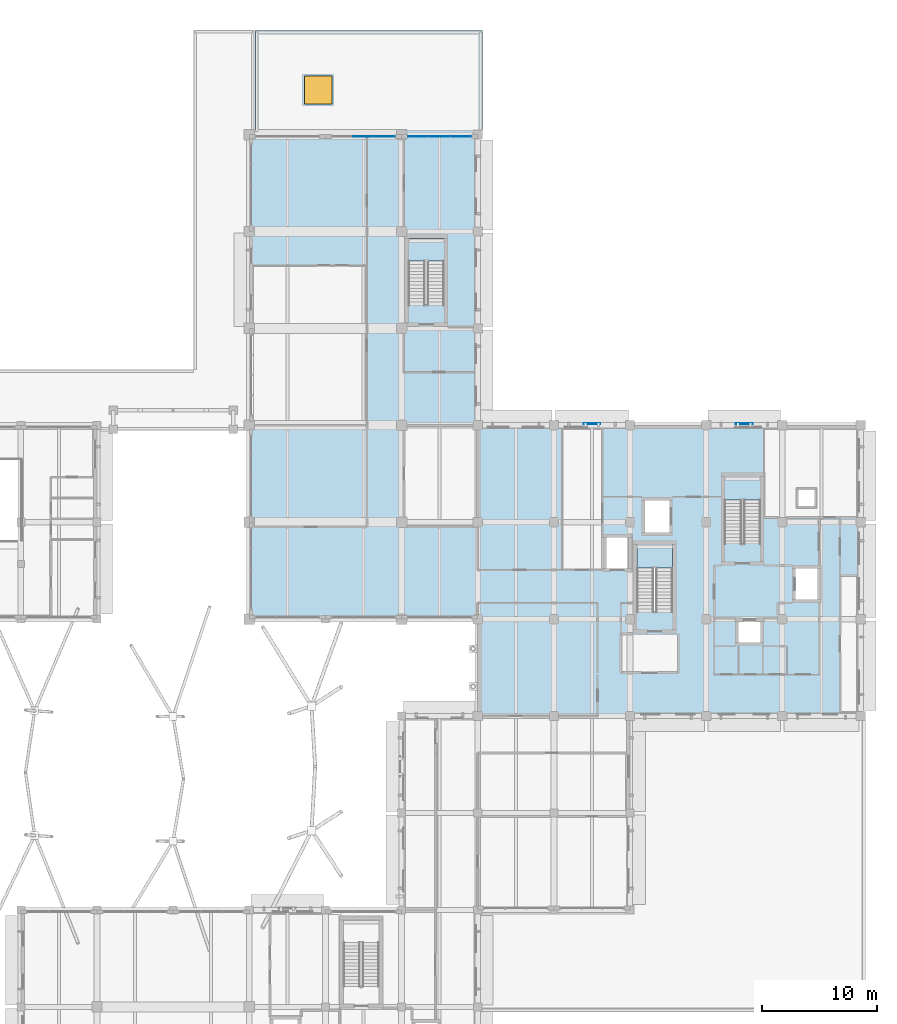
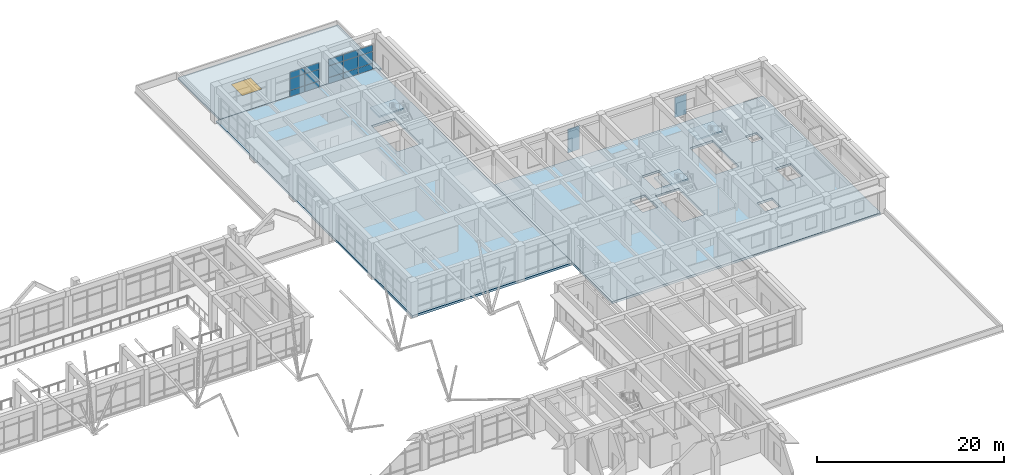
# One storey, part 40 of 75: 17 plates, 6 slabs, 1 window, 1 opening, 5 elements without a shape of their own.
"""IFC4 building model written with IfcOpenShell, lengths in metres."""

from ifc_helpers import new_model, si_unit, direction, frame, origin, origin_2d, place, context, subcontext, project, spatial, polyline, rectangle, outline, extrude, material, layer, layer_set, type_object, element, fill, aggregate, save


model = new_model("IFC4")

# Units and contexts
model_context = context("Model", 3, precision=1e-05, world=origin(), true_north=direction((0.0, 1.0)))
body_context = subcontext(model_context, "Body", "Model", "MODEL_VIEW")
ifc_project = project(units=[si_unit("LENGTHUNIT", "METRE"), si_unit("AREAUNIT", "SQUARE_METRE"), si_unit("VOLUMEUNIT", "CUBIC_METRE"), si_unit("PLANEANGLEUNIT", "RADIAN"), si_unit("MASSUNIT", "GRAM", prefix="KILO")], contexts=[model_context])

# Site, building, storey
site_placement = place(None, origin())
site = spatial("IfcSite", under=ifc_project, at=site_placement, CompositionType="ELEMENT")
building_placement = place(site_placement, origin())
building = spatial("IfcBuilding", under=site, at=building_placement, Name="Kolvaren Faculty of Natural Sciences", CompositionType="ELEMENT")
storey_placement = place(building_placement, frame((0.0, 0.0, 5.39990234375)))
storey = spatial("IfcBuildingStorey", under=building, at=storey_placement, Name="L01", CompositionType="ELEMENT", Elevation=5.39990234375)

# Slab
ifc_material_1 = material(Name="Concrete C35/45", Category="concrete")
ifc_layer_1 = layer(ifc_material_1, 0.2900390625)
ifc_layer_set_1 = layer_set([ifc_layer_1], Name="Concrete C35/45")
slab_type_1 = type_object("IfcSlabType", Name="CommonsFloorSlab_290", PredefinedType="FLOOR", material=ifc_layer_set_1)
slab_1_placement = place(storey_placement, frame((0.0, 0.0, -0.289794921875)))
element("IfcSlab", 1, at=slab_1_placement, inside=storey, type_object=slab_type_1, Name="L01 V2 structural slab 2", PredefinedType="FLOOR", context=body_context, shape_type="SweptSolid", body=[
    extrude(outline(polyline([(119.0, 84.199951171875), (119.0, 109.39990234375), (138.800048828125, 109.39990234375), (138.800048828125, 84.199951171875), (138.800048828125, 67.39990234375), (119.0, 67.39990234375), (119.0, 84.199951171875)]), holes=[polyline([(135.780029296875, 94.719970703125), (135.780029296875, 100.280029296875), (132.919921875, 100.280029296875), (132.919921875, 94.719970703125), (135.780029296875, 94.719970703125)])]), origin(), (0.0, 0.0, 1.0), 0.289794921875),
])

# Curtain wall, plates
ifc_material_2 = material(Name="Thermally broken anodised aluminium framing", Category="aluminium")
ifc_layer_2 = layer(ifc_material_2, 0.179931640625)
ifc_layer_set_2 = layer_set([ifc_layer_2], Name="Thermally broken anodised aluminium framing")
curtain_wall_type = type_object("IfcCurtainWallType", Name="CommonsCurtainWall_CW02", PredefinedType="NOTDEFINED", material=ifc_layer_set_2)
curtain_wall_1_placement = place(storey_placement, origin())
curtain_wall_1 = element("IfcCurtainWall", 2, at=curtain_wall_1_placement, inside=storey, type_object=curtain_wall_type, Name="L01 unitised curtain wall CW-02 (CW-L01-038)", PredefinedType="NOTDEFINED")
ifc_material_3 = material(Name="Double low-E solar control insulated glazing", Category="glass")
ifc_layer_3 = layer(ifc_material_3, 0.035888671875)
ifc_layer_set_3 = layer_set([ifc_layer_3], Name="Double low-E solar control insulated glazing")
plate_type_1 = type_object("IfcPlateType", Name="EnvelopePlate_CWPGL1", PredefinedType="CURTAIN_PANEL", material=ifc_layer_set_3)
plate_1_placement = place(storey_placement, frame((128.89990234375, 109.239990234375, 0.919921875), z_axis=(0.0, 0.0, 1.0), x_axis=(1.0, 0.0, 0.0)))
plate_1 = element("IfcPlate", 3, at=plate_1_placement, type_object=plate_type_1, Name="CW-L01-038 panel 2 V1", PredefinedType="CURTAIN_PANEL", context=body_context, shape_type="SweptSolid", body=[
    extrude(rectangle(XDim=1.783203125, YDim=0.035888671875, at=origin_2d()), origin(), (0.0, 0.0, 1.0), 1.4951171875),
])
plate_2_placement = place(storey_placement, frame((130.7333984375, 109.239990234375, 0.919921875), z_axis=(0.0, 0.0, 1.0), x_axis=(1.0, 0.0, 0.0)))
plate_2 = element("IfcPlate", 4, at=plate_2_placement, type_object=plate_type_1, Name="CW-L01-038 panel 3 V1", PredefinedType="CURTAIN_PANEL", context=body_context, shape_type="SweptSolid", body=[
    extrude(rectangle(XDim=1.783203125, YDim=0.035888671875, at=origin_2d()), origin(), (0.0, 0.0, 1.0), 1.4951171875),
])

curtain_wall_2_placement = place(storey_placement, origin())
curtain_wall_2 = element("IfcCurtainWall", 5, at=curtain_wall_2_placement, inside=storey, type_object=curtain_wall_type, Name="L01 unitised curtain wall CW-02 (CW-L01-039)", PredefinedType="NOTDEFINED")
plate_3_placement = place(storey_placement, frame((133.666748046875, 109.239990234375, 0.919921875), z_axis=(0.0, 0.0, 1.0), x_axis=(1.0, 0.0, 0.0)))
plate_3 = element("IfcPlate", 6, at=plate_3_placement, type_object=plate_type_1, Name="CW-L01-039 panel 1 V1", PredefinedType="CURTAIN_PANEL", context=body_context, shape_type="SweptSolid", body=[
    extrude(rectangle(XDim=1.783203125, YDim=0.035888671875, at=origin_2d()), origin(), (0.0, 0.0, 1.0), 1.4951171875),
])
plate_4_placement = place(storey_placement, frame((135.5, 109.239990234375, 0.919921875), z_axis=(0.0, 0.0, 1.0), x_axis=(1.0, 0.0, 0.0)))
plate_4 = element("IfcPlate", 7, at=plate_4_placement, type_object=plate_type_1, Name="CW-L01-039 panel 2 V1", PredefinedType="CURTAIN_PANEL", context=body_context, shape_type="SweptSolid", body=[
    extrude(rectangle(XDim=1.783203125, YDim=0.035888671875, at=origin_2d()), origin(), (0.0, 0.0, 1.0), 1.4951171875),
])
plate_5_placement = place(storey_placement, frame((137.333251953125, 109.239990234375, 0.919921875), z_axis=(0.0, 0.0, 1.0), x_axis=(1.0, 0.0, 0.0)))
plate_5 = element("IfcPlate", 8, at=plate_5_placement, type_object=plate_type_1, Name="CW-L01-039 panel 3 V1", PredefinedType="CURTAIN_PANEL", context=body_context, shape_type="SweptSolid", body=[
    extrude(rectangle(XDim=1.783203125, YDim=0.035888671875, at=origin_2d()), origin(), (0.0, 0.0, 1.0), 1.4951171875),
])

# Plate
ifc_layer_4 = layer(ifc_material_3, 0.035888671875)
ifc_layer_set_4 = layer_set([ifc_layer_4], Name="Double low-E solar control insulated glazing")
plate_type_2 = type_object("IfcPlateType", Name="EnvelopePlate_CWPGL2", PredefinedType="CURTAIN_PANEL", material=ifc_layer_set_4)
plate_6_placement = place(storey_placement, frame((128.89990234375, 109.239990234375, 2.455078125), z_axis=(0.0, 0.0, 1.0), x_axis=(1.0, 0.0, 0.0)))
plate_6 = element("IfcPlate", 9, at=plate_6_placement, type_object=plate_type_2, Name="CW-L01-038 panel 2 V2", PredefinedType="CURTAIN_PANEL", context=body_context, shape_type="SweptSolid", body=[
    extrude(rectangle(XDim=1.783203125, YDim=0.035888671875, at=origin_2d()), origin(), (0.0, 0.0, 1.0), 0.830078125),
])

plate_7_placement = place(storey_placement, frame((130.7333984375, 109.239990234375, 2.455078125), z_axis=(0.0, 0.0, 1.0), x_axis=(1.0, 0.0, 0.0)))
plate_7 = element("IfcPlate", 10, at=plate_7_placement, type_object=plate_type_2, Name="CW-L01-038 panel 3 V2", PredefinedType="CURTAIN_PANEL", context=body_context, shape_type="SweptSolid", body=[
    extrude(rectangle(XDim=1.783203125, YDim=0.035888671875, at=origin_2d()), origin(), (0.0, 0.0, 1.0), 0.830078125),
])

plate_8_placement = place(storey_placement, frame((133.666748046875, 109.239990234375, 2.455078125), z_axis=(0.0, 0.0, 1.0), x_axis=(1.0, 0.0, 0.0)))
plate_8 = element("IfcPlate", 11, at=plate_8_placement, type_object=plate_type_2, Name="CW-L01-039 panel 1 V2", PredefinedType="CURTAIN_PANEL", context=body_context, shape_type="SweptSolid", body=[
    extrude(rectangle(XDim=1.783203125, YDim=0.035888671875, at=origin_2d()), origin(), (0.0, 0.0, 1.0), 0.830078125),
])

plate_9_placement = place(storey_placement, frame((135.5, 109.239990234375, 2.455078125), z_axis=(0.0, 0.0, 1.0), x_axis=(1.0, 0.0, 0.0)))
plate_9 = element("IfcPlate", 12, at=plate_9_placement, type_object=plate_type_2, Name="CW-L01-039 panel 2 V2", PredefinedType="CURTAIN_PANEL", context=body_context, shape_type="SweptSolid", body=[
    extrude(rectangle(XDim=1.783203125, YDim=0.035888671875, at=origin_2d()), origin(), (0.0, 0.0, 1.0), 0.830078125),
])

plate_10_placement = place(storey_placement, frame((137.333251953125, 109.239990234375, 2.455078125), z_axis=(0.0, 0.0, 1.0), x_axis=(1.0, 0.0, 0.0)))
plate_10 = element("IfcPlate", 13, at=plate_10_placement, type_object=plate_type_2, Name="CW-L01-039 panel 3 V2", PredefinedType="CURTAIN_PANEL", context=body_context, shape_type="SweptSolid", body=[
    extrude(rectangle(XDim=1.783203125, YDim=0.035888671875, at=origin_2d()), origin(), (0.0, 0.0, 1.0), 0.830078125),
])

ifc_material_4 = material(Name="Insulated anodised aluminium spandrel panel", Category="aluminium")
ifc_layer_5 = layer(ifc_material_4, 0.050048828125)
ifc_layer_set_5 = layer_set([ifc_layer_5], Name="Insulated anodised aluminium spandrel panel")
plate_type_3 = type_object("IfcPlateType", Name="EnvelopePlate_CWPSP1", PredefinedType="SHEET", material=ifc_layer_set_5)
plate_11_placement = place(storey_placement, frame((128.89990234375, 109.239990234375, 0.10009765625), z_axis=(0.0, 0.0, 1.0), x_axis=(1.0, 0.0, 0.0)))
plate_11 = element("IfcPlate", 14, at=plate_11_placement, type_object=plate_type_3, Name="CW-L01-038 panel 2 SP", PredefinedType="SHEET", context=body_context, shape_type="SweptSolid", body=[
    extrude(rectangle(XDim=1.783203125, YDim=0.050048828125, at=origin_2d()), origin(), (0.0, 0.0, 1.0), 0.780029296875),
])

plate_12_placement = place(storey_placement, frame((130.7333984375, 109.239990234375, 0.10009765625), z_axis=(0.0, 0.0, 1.0), x_axis=(1.0, 0.0, 0.0)))
plate_12 = element("IfcPlate", 15, at=plate_12_placement, type_object=plate_type_3, Name="CW-L01-038 panel 3 SP", PredefinedType="SHEET", context=body_context, shape_type="SweptSolid", body=[
    extrude(rectangle(XDim=1.783203125, YDim=0.050048828125, at=origin_2d()), origin(), (0.0, 0.0, 1.0), 0.780029296875),
])

aggregate(curtain_wall_1, [plate_11, plate_1, plate_6, plate_12, plate_2, plate_7])

plate_13_placement = place(storey_placement, frame((133.666748046875, 109.239990234375, 0.10009765625), z_axis=(0.0, 0.0, 1.0), x_axis=(1.0, 0.0, 0.0)))
plate_13 = element("IfcPlate", 16, at=plate_13_placement, type_object=plate_type_3, Name="CW-L01-039 panel 1 SP", PredefinedType="SHEET", context=body_context, shape_type="SweptSolid", body=[
    extrude(rectangle(XDim=1.783203125, YDim=0.050048828125, at=origin_2d()), origin(), (0.0, 0.0, 1.0), 0.780029296875),
])

plate_14_placement = place(storey_placement, frame((135.5, 109.239990234375, 0.10009765625), z_axis=(0.0, 0.0, 1.0), x_axis=(1.0, 0.0, 0.0)))
plate_14 = element("IfcPlate", 17, at=plate_14_placement, type_object=plate_type_3, Name="CW-L01-039 panel 2 SP", PredefinedType="SHEET", context=body_context, shape_type="SweptSolid", body=[
    extrude(rectangle(XDim=1.783203125, YDim=0.050048828125, at=origin_2d()), origin(), (0.0, 0.0, 1.0), 0.780029296875),
])

plate_15_placement = place(storey_placement, frame((137.333251953125, 109.239990234375, 0.10009765625), z_axis=(0.0, 0.0, 1.0), x_axis=(1.0, 0.0, 0.0)))
plate_15 = element("IfcPlate", 18, at=plate_15_placement, type_object=plate_type_3, Name="CW-L01-039 panel 3 SP", PredefinedType="SHEET", context=body_context, shape_type="SweptSolid", body=[
    extrude(rectangle(XDim=1.783203125, YDim=0.050048828125, at=origin_2d()), origin(), (0.0, 0.0, 1.0), 0.780029296875),
])

aggregate(curtain_wall_2, [plate_13, plate_3, plate_8, plate_14, plate_4, plate_9, plate_15, plate_5, plate_10])

# Plates
ifc_material_5 = material(Name="Extruded architectural terracotta screen", Category="masonry")
ifc_layer_6 = layer(ifc_material_5, 0.06494140625)
ifc_layer_set_6 = layer_set([ifc_layer_6], Name="Extruded architectural terracotta screen")
plate_type_4 = type_object("IfcPlateType", Name="EnvelopePlate_JL01", PredefinedType="USERDEFINED", material=ifc_layer_set_6)
plate_16_placement = place(storey_placement, frame((161.89990234375, 84.340087890625, 0.85009765625), z_axis=(0.0, 0.0, 1.0), x_axis=(1.0, 0.0, 0.0)))
element("IfcPlate", 19, at=plate_16_placement, inside=storey, type_object=plate_type_4, Name="L01 perforated terracotta jali sun screen JL-01", ObjectType="SCREEN", PredefinedType="USERDEFINED", context=body_context, shape_type="SweptSolid", body=[
    extrude(rectangle(XDim=1.449951171875, YDim=0.06494140625, at=origin_2d()), origin(), (0.0, 0.0, 1.0), 2.60009765625),
])
ifc_layer_7 = layer(ifc_material_5, 0.06494140625)
ifc_layer_set_7 = layer_set([ifc_layer_7], Name="Extruded architectural terracotta screen")
plate_type_5 = type_object("IfcPlateType", Name="EnvelopePlate_JL03", PredefinedType="USERDEFINED", material=ifc_layer_set_7)
plate_17_placement = place(storey_placement, frame((148.699951171875, 84.340087890625, 0.85009765625), z_axis=(0.0, 0.0, 1.0), x_axis=(1.0, 0.0, 0.0)))
element("IfcPlate", 20, at=plate_17_placement, inside=storey, type_object=plate_type_5, Name="L01 perforated terracotta jali sun screen JL-03", ObjectType="SCREEN", PredefinedType="USERDEFINED", context=body_context, shape_type="SweptSolid", body=[
    extrude(rectangle(XDim=1.449951171875, YDim=0.06494140625, at=origin_2d()), origin(), (0.0, 0.0, 1.0), 3.10009765625),
])

# Slab, opening, window
ifc_layer_8 = layer(ifc_material_1, 0.219970703125)
ifc_layer_set_8 = layer_set([ifc_layer_8], Name="Concrete C35/45")
slab_type_2 = type_object("IfcSlabType", Name="FlatWingRoofSlab_220", PredefinedType="ROOF", material=ifc_layer_set_8)
slab_2_placement = place(storey_placement, frame((0.0, 0.0, -0.219970703125)))
slab_2 = element("IfcSlab", 21, at=slab_2_placement, inside=storey, type_object=slab_type_2, Name="L01 flat reinforced concrete roof slab 5", PredefinedType="ROOF", context=body_context, shape_type="SweptSolid", body=[
    extrude(outline(polyline([(139.22998046875, 109.02001953125), (138.820068359375, 109.02001953125), (138.820068359375, 109.39990234375), (138.81982421875, 109.402099609375), (138.819580078125, 109.40380859375), (138.819091796875, 109.40576171875), (138.818603515625, 109.40771484375), (138.817626953125, 109.409423828125), (138.816650390625, 109.4111328125), (138.8154296875, 109.41259765625), (138.814208984375, 109.4140625), (138.812744140625, 109.41552734375), (138.81103515625, 109.41650390625), (138.809326171875, 109.41748046875), (138.8076171875, 109.41845703125), (138.805908203125, 109.419189453125), (138.803955078125, 109.419677734375), (138.802001953125, 109.419921875), (138.800048828125, 109.419921875), (119.47998046875, 109.419921875), (119.47998046875, 118.429931640625), (139.22998046875, 118.429931640625), (139.22998046875, 109.02001953125)])), origin(), (0.0, 0.0, 1.0), 0.219970703125),
])
opening_placement = place(slab_2_placement, frame((124.968994140625, 113.26611328125, 0.0)))
opening = element("IfcOpeningElement", 22, at=opening_placement, cuts=slab_2, Name="Opening SK-01", PredefinedType="OPENING", context=body_context, shape_type="SweptSolid", body=[
    extrude(rectangle(XDim=2.39990234375, YDim=2.39990234375, at=origin_2d()), frame((0.0, 0.0, -0.010009765625)), (0.0, 0.0, 1.0), 0.239990234375),
])
window_type = type_object("IfcWindowType", Name="RoofSkylight_SK01_2400x2400", PartitioningType="SINGLE_PANEL", PredefinedType="SKYLIGHT", material=ifc_material_3)
window_placement = place(opening_placement, frame((0.0, 0.0, 0.169921875)))
window = element("IfcWindow", 23, at=window_placement, inside=storey, type_object=window_type, Name="SKY-L01-01", OverallHeight=2.39990234375, OverallWidth=2.39990234375, PartitioningType="SINGLE_PANEL", PredefinedType="SKYLIGHT", context=body_context, shape_type="SweptSolid", body=[
    extrude(rectangle(XDim=2.39990234375, YDim=2.39990234375, at=origin_2d()), origin(), (0.0, 0.0, 1.0), 0.050048828125),
])
fill(opening, window)

# Slab
ifc_layer_9 = layer(ifc_material_1, 0.300048828125)
ifc_layer_set_9 = layer_set([ifc_layer_9], Name="Concrete C35/45")
slab_type_3 = type_object("IfcSlabType", Name="LabFloorSlab_300", PredefinedType="FLOOR", material=ifc_layer_set_9)
slab_3_placement = place(storey_placement, frame((0.0, 0.0, -0.2998046875)))
element("IfcSlab", 24, at=slab_3_placement, inside=storey, type_object=slab_type_3, Name="L01 V6 structural slab 1", PredefinedType="FLOOR", context=body_context, shape_type="SweptSolid", body=[
    extrude(outline(polyline([(138.800048828125, 59.0), (138.800048828125, 84.199951171875), (172.0, 84.199951171875), (172.0, 59.0), (138.800048828125, 59.0)]), holes=[polyline([(168.25, 69.10009765625), (168.25, 71.800048828125), (166.35009765625, 71.800048828125), (166.35009765625, 69.10009765625), (168.25, 69.10009765625)]), polyline([(168.0, 77.199951171875), (168.0, 78.60009765625), (166.60009765625, 78.60009765625), (166.60009765625, 77.199951171875), (168.0, 77.199951171875)]), polyline([(163.300048828125, 65.39990234375), (163.300048828125, 67.199951171875), (161.39990234375, 67.199951171875), (161.39990234375, 65.39990234375), (163.300048828125, 65.39990234375)]), polyline([(163.179931640625, 79.679931640625), (160.320068359375, 79.679931640625), (160.320068359375, 74.02001953125), (163.179931640625, 74.02001953125), (163.179931640625, 79.679931640625)]), polyline([(155.580078125, 73.780029296875), (152.719970703125, 73.780029296875), (152.719970703125, 68.1201171875), (155.580078125, 68.1201171875), (155.580078125, 73.780029296875)]), polyline([(155.39990234375, 74.89990234375), (155.39990234375, 77.699951171875), (153.300048828125, 77.699951171875), (153.300048828125, 74.89990234375), (155.39990234375, 74.89990234375)]), polyline([(151.85009765625, 71.800048828125), (151.85009765625, 74.5), (149.949951171875, 74.5), (149.949951171875, 71.800048828125), (151.85009765625, 71.800048828125)])]), origin(), (0.0, 0.0, 1.0), 0.2998046875),
])

# Stair, slab
stair_type = type_object("IfcStairType", Name="DoglegStair_H4800", PredefinedType="HALF_TURN_STAIR", material=ifc_material_1)
stair_1_placement = place(storey_placement, origin())
stair_1 = element("IfcStair", 25, at=stair_1_placement, inside=storey, type_object=stair_type, Name="L01 Protected exit stair ST-1", PredefinedType="HALF_TURN_STAIR")
ifc_layer_10 = layer(ifc_material_1, 0.199951171875)
ifc_layer_set_10 = layer_set([ifc_layer_10], Name="Concrete C35/45")
slab_type_4 = type_object("IfcSlabType", Name="StairLandingSlab_200", PredefinedType="LANDING", material=ifc_layer_set_10)
slab_4_placement = place(storey_placement, frame((0.0, 0.0, 2.2001953125)))
slab_4 = element("IfcSlab", 26, at=slab_4_placement, type_object=slab_type_4, Name="ST-1 landing 1", PredefinedType="LANDING", context=body_context, shape_type="SweptSolid", body=[
    extrude(outline(polyline([(163.300048828125, 77.735107421875), (163.300048828125, 79.800048828125), (160.199951171875, 79.800048828125), (160.199951171875, 77.735107421875), (163.300048828125, 77.735107421875)])), origin(), (0.0, 0.0, 1.0), 0.199951171875),
])
aggregate(stair_1, [slab_4])

stair_2_placement = place(storey_placement, origin())
stair_2 = element("IfcStair", 27, at=stair_2_placement, inside=storey, type_object=stair_type, Name="L01 Protected exit stair ST-2", PredefinedType="HALF_TURN_STAIR")
slab_5_placement = place(storey_placement, frame((0.0, 0.0, 2.2001953125)))
slab_5 = element("IfcSlab", 28, at=slab_5_placement, type_object=slab_type_4, Name="ST-2 landing 1", PredefinedType="LANDING", context=body_context, shape_type="SweptSolid", body=[
    extrude(outline(polyline([(155.699951171875, 71.8349609375), (155.699951171875, 73.89990234375), (152.60009765625, 73.89990234375), (152.60009765625, 71.8349609375), (155.699951171875, 71.8349609375)])), origin(), (0.0, 0.0, 1.0), 0.199951171875),
])
aggregate(stair_2, [slab_5])

stair_3_placement = place(storey_placement, origin())
stair_3 = element("IfcStair", 29, at=stair_3_placement, inside=storey, type_object=stair_type, Name="L01 Protected exit stair ST-7", PredefinedType="HALF_TURN_STAIR")
slab_6_placement = place(storey_placement, frame((0.0, 0.0, 2.2001953125)))
slab_6 = element("IfcSlab", 30, at=slab_6_placement, type_object=slab_type_4, Name="ST-7 landing 1", PredefinedType="LANDING", context=body_context, shape_type="SweptSolid", body=[
    extrude(outline(polyline([(135.89990234375, 98.43505859375), (135.89990234375, 100.39990234375), (132.800048828125, 100.39990234375), (132.800048828125, 98.43505859375), (135.89990234375, 98.43505859375)])), origin(), (0.0, 0.0, 1.0), 0.199951171875),
])
aggregate(stair_3, [slab_6])

save(model, "model.ifc")
